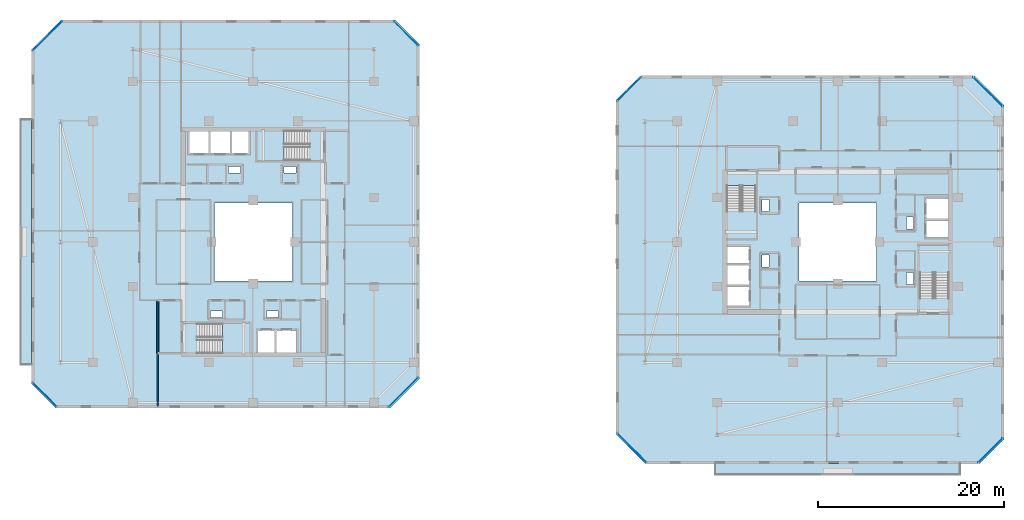
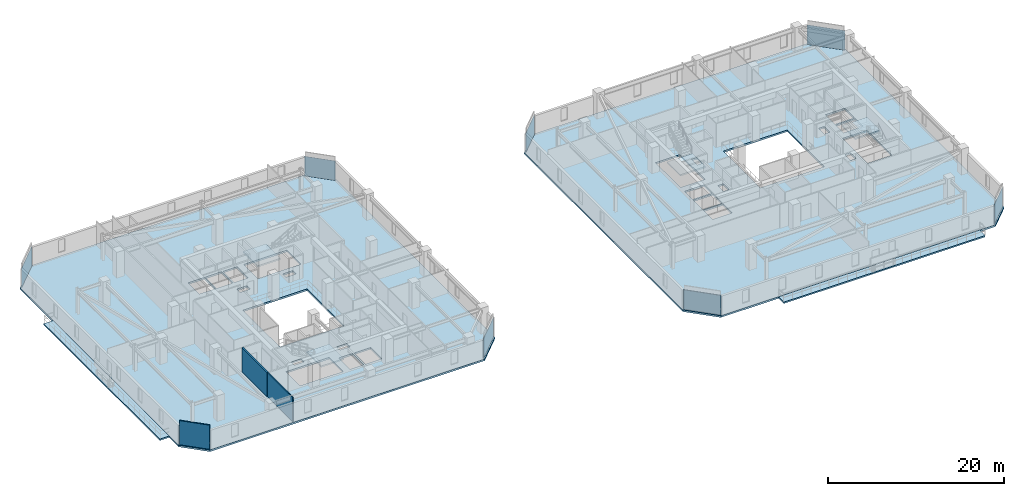
# One storey, part 18 of 33: 8 plates, 8 slabs, 3 walls, 12 elements without a shape of their own.
"""IFC4 building model written with IfcOpenShell, lengths in metres."""

from ifc_helpers import new_model, si_unit, direction, frame, frame_2d, origin, origin_2d, place, context, subcontext, project, spatial, polyline, rectangle, outline, extrude, material, layer, layer_set, type_object, element, aggregate, save


model = new_model("IFC4")

# Units and contexts
model_context = context("Model", 3, precision=1e-05, world=origin(), true_north=direction((0.0, 1.0)))
body_context = subcontext(model_context, "Body", "Model", "MODEL_VIEW")
ifc_project = project(units=[si_unit("LENGTHUNIT", "METRE"), si_unit("AREAUNIT", "SQUARE_METRE"), si_unit("VOLUMEUNIT", "CUBIC_METRE"), si_unit("PLANEANGLEUNIT", "RADIAN"), si_unit("MASSUNIT", "GRAM", prefix="KILO")], contexts=[model_context])

# Site, building, storey
site_placement = place(None, origin())
site = spatial("IfcSite", under=ifc_project, at=site_placement, CompositionType="ELEMENT")
building_placement = place(site_placement, origin())
building = spatial("IfcBuilding", under=site, at=building_placement, Name="Thornwick Lancets Civic Towers", CompositionType="ELEMENT")
storey_placement = place(building_placement, frame((0.0, 0.0, 214.5)))
storey = spatial("IfcBuildingStorey", under=building, at=storey_placement, Name="L57", CompositionType="ELEMENT", Elevation=214.5)

# Curtain wall, plate
ifc_material_1 = material(Name="High-zone chamfered-corner unitised glass curtain wall", Category="glass")
curtain_wall_type = type_object("IfcCurtainWallType", Name="CW_SYS_05", PredefinedType="NOTDEFINED", material=ifc_material_1)
curtain_wall_1_placement = place(storey_placement, origin())
curtain_wall_1 = element("IfcCurtainWall", 1, at=curtain_wall_1_placement, inside=storey, type_object=curtain_wall_type, Name="L57 Curtain Wall CW-L57-A-E1", PredefinedType="NOTDEFINED")
ifc_material_2 = material(Name="Low-e double glazing clear glass", Category="glass")
ifc_layer_1 = layer(ifc_material_2, 0.035888671875, Name="Low-e double glazing clear glass")
ifc_layer_set_1 = layer_set([ifc_layer_1], Name="Low-e double glazing clear glass")
plate_type = type_object("IfcPlateType", Name="CW_PNL_GLASS", PredefinedType="CURTAIN_PANEL", material=ifc_layer_set_1)
plate_1_placement = place(storey_placement, frame((41.6962890625, 10.803955078125, 0.0), z_axis=(0.0, 0.0, 1.0), x_axis=(0.707106781187, 0.707106781187, 0.0)))
plate_1 = element("IfcPlate", 2, at=plate_1_placement, type_object=plate_type, Name="CW-L57-A-E1 Panel 0", PredefinedType="CURTAIN_PANEL", context=body_context, shape_type="SweptSolid", body=[
    extrude(rectangle(XDim=4.42724609375, YDim=0.035888671875, at=origin_2d()), origin(), (0.0, 0.0, 1.0), 2.699951171875),
])
aggregate(curtain_wall_1, [plate_1])

curtain_wall_2_placement = place(storey_placement, origin())
curtain_wall_2 = element("IfcCurtainWall", 3, at=curtain_wall_2_placement, inside=storey, type_object=curtain_wall_type, Name="L57 Curtain Wall CW-L57-A-E3", PredefinedType="NOTDEFINED")
plate_2_placement = place(storey_placement, frame((41.972900390625, 49.472900390625, 0.0), z_axis=(0.0, 0.0, 1.0), x_axis=(-0.707106781187, 0.707106781187, 0.0)))
plate_2 = element("IfcPlate", 4, at=plate_2_placement, type_object=plate_type, Name="CW-L57-A-E3 Panel 0", PredefinedType="CURTAIN_PANEL", context=body_context, shape_type="SweptSolid", body=[
    extrude(rectangle(XDim=3.649169921875, YDim=0.035888671875, at=origin_2d()), origin(), (0.0, 0.0, 1.0), 2.699951171875),
])
aggregate(curtain_wall_2, [plate_2])

curtain_wall_3_placement = place(storey_placement, origin())
curtain_wall_3 = element("IfcCurtainWall", 5, at=curtain_wall_3_placement, inside=storey, type_object=curtain_wall_type, Name="L57 Curtain Wall CW-L57-A-E5", PredefinedType="NOTDEFINED")
plate_3_placement = place(storey_placement, frame((3.3037109375, 49.1962890625, 0.0), z_axis=(0.0, 0.0, 1.0), x_axis=(-0.707106781187, -0.707106781187, 0.0)))
plate_3 = element("IfcPlate", 6, at=plate_3_placement, type_object=plate_type, Name="CW-L57-A-E5 Panel 0", PredefinedType="CURTAIN_PANEL", context=body_context, shape_type="SweptSolid", body=[
    extrude(rectangle(XDim=4.42724609375, YDim=0.035888671875, at=origin_2d()), origin(), (0.0, 0.0, 1.0), 2.699951171875),
])
aggregate(curtain_wall_3, [plate_3])

curtain_wall_4_placement = place(storey_placement, origin())
curtain_wall_4 = element("IfcCurtainWall", 7, at=curtain_wall_4_placement, inside=storey, type_object=curtain_wall_type, Name="L57 Curtain Wall CW-L57-A-E7", PredefinedType="NOTDEFINED")
plate_4_placement = place(storey_placement, frame((3.027099609375, 10.527099609375, 0.0), z_axis=(0.0, 0.0, 1.0), x_axis=(0.707106781187, -0.707106781187, 0.0)))
plate_4 = element("IfcPlate", 8, at=plate_4_placement, type_object=plate_type, Name="CW-L57-A-E7 Panel 0", PredefinedType="CURTAIN_PANEL", context=body_context, shape_type="SweptSolid", body=[
    extrude(rectangle(XDim=3.649169921875, YDim=0.035888671875, at=origin_2d()), origin(), (0.0, 0.0, 1.0), 2.699951171875),
])
aggregate(curtain_wall_4, [plate_4])

curtain_wall_5_placement = place(storey_placement, origin())
curtain_wall_5 = element("IfcCurtainWall", 9, at=curtain_wall_5_placement, inside=storey, type_object=curtain_wall_type, Name="L57 Curtain Wall CW-L57-B-E1", PredefinedType="NOTDEFINED")
plate_5_placement = place(storey_placement, frame((104.972900390625, 4.527099609375, 0.0), z_axis=(0.0, 0.0, 1.0), x_axis=(0.707106781187, 0.707106781187, 0.0)))
plate_5 = element("IfcPlate", 10, at=plate_5_placement, type_object=plate_type, Name="CW-L57-B-E1 Panel 0", PredefinedType="CURTAIN_PANEL", context=body_context, shape_type="SweptSolid", body=[
    extrude(rectangle(XDim=3.649169921875, YDim=0.035888671875, at=origin_2d()), origin(), (0.0, 0.0, 1.0), 2.699951171875),
])
aggregate(curtain_wall_5, [plate_5])

curtain_wall_6_placement = place(storey_placement, origin())
curtain_wall_6 = element("IfcCurtainWall", 11, at=curtain_wall_6_placement, inside=storey, type_object=curtain_wall_type, Name="L57 Curtain Wall CW-L57-B-E3", PredefinedType="NOTDEFINED")
plate_6_placement = place(storey_placement, frame((104.696044921875, 43.1962890625, 0.0), z_axis=(0.0, 0.0, 1.0), x_axis=(-0.707106781187, 0.707106781187, 0.0)))
plate_6 = element("IfcPlate", 12, at=plate_6_placement, type_object=plate_type, Name="CW-L57-B-E3 Panel 0", PredefinedType="CURTAIN_PANEL", context=body_context, shape_type="SweptSolid", body=[
    extrude(rectangle(XDim=4.42724609375, YDim=0.035888671875, at=origin_2d()), origin(), (0.0, 0.0, 1.0), 2.699951171875),
])
aggregate(curtain_wall_6, [plate_6])

curtain_wall_7_placement = place(storey_placement, origin())
curtain_wall_7 = element("IfcCurtainWall", 13, at=curtain_wall_7_placement, inside=storey, type_object=curtain_wall_type, Name="L57 Curtain Wall CW-L57-B-E5", PredefinedType="NOTDEFINED")
plate_7_placement = place(storey_placement, frame((66.027099609375, 43.472900390625, 0.0), z_axis=(0.0, 0.0, 1.0), x_axis=(-0.707106781187, -0.707106781187, 0.0)))
plate_7 = element("IfcPlate", 14, at=plate_7_placement, type_object=plate_type, Name="CW-L57-B-E5 Panel 0", PredefinedType="CURTAIN_PANEL", context=body_context, shape_type="SweptSolid", body=[
    extrude(rectangle(XDim=3.649169921875, YDim=0.035888671875, at=origin_2d()), origin(), (0.0, 0.0, 1.0), 2.699951171875),
])
aggregate(curtain_wall_7, [plate_7])

curtain_wall_8_placement = place(storey_placement, origin())
curtain_wall_8 = element("IfcCurtainWall", 15, at=curtain_wall_8_placement, inside=storey, type_object=curtain_wall_type, Name="L57 Curtain Wall CW-L57-B-E7", PredefinedType="NOTDEFINED")
plate_8_placement = place(storey_placement, frame((66.303955078125, 4.8037109375, 0.0), z_axis=(0.0, 0.0, 1.0), x_axis=(0.707106781187, -0.707106781187, 0.0)))
plate_8 = element("IfcPlate", 16, at=plate_8_placement, type_object=plate_type, Name="CW-L57-B-E7 Panel 0", PredefinedType="CURTAIN_PANEL", context=body_context, shape_type="SweptSolid", body=[
    extrude(rectangle(XDim=4.42724609375, YDim=0.035888671875, at=origin_2d()), origin(), (0.0, 0.0, 1.0), 2.699951171875),
])
aggregate(curtain_wall_8, [plate_8])

# Slabs
ifc_material_3 = material(Name="Post-tensioned concrete C40/50", Category="concrete")
ifc_layer_2 = layer(ifc_material_3, 0.199951171875, Name="Post-tensioned concrete C40/50")
ifc_layer_set_2 = layer_set([ifc_layer_2], Name="Post-tensioned concrete C40/50")
slab_type_1 = type_object("IfcSlabType", Name="SLAB_BALCONY_200", PredefinedType="FLOOR", material=ifc_layer_set_2)
slab_1_placement = place(storey_placement, frame((0.0, 0.0, -0.199951171875)))
element("IfcSlab", 17, at=slab_1_placement, inside=storey, type_object=slab_type_1, Name="L57 Tower A Planted Balcony Slab W", PredefinedType="FLOOR", context=body_context, shape_type="SweptSolid", body=[
    extrude(outline(polyline([(0.35009765625, 13.800048828125), (1.60009765625, 13.800048828125), (1.60009765625, 40.199951171875), (0.35009765625, 40.199951171875), (0.35009765625, 13.800048828125)])), origin(), (0.0, 0.0, 1.0), 0.199951171875),
])
slab_2_placement = place(storey_placement, frame((0.0, 0.0, -0.199951171875)))
element("IfcSlab", 18, at=slab_2_placement, inside=storey, type_object=slab_type_1, Name="L57 Tower B Planted Balcony Slab S", PredefinedType="FLOOR", context=body_context, shape_type="SweptSolid", body=[
    extrude(outline(polyline([(75.300048828125, 1.85009765625), (101.699951171875, 1.85009765625), (101.699951171875, 3.10009765625), (75.300048828125, 3.10009765625), (75.300048828125, 1.85009765625)])), origin(), (0.0, 0.0, 1.0), 0.199951171875),
])

# Stair, slab
ifc_material_4 = material(Name="Concrete C40/50", Category="concrete")
stair_type = type_object("IfcStairType", Name="STAIR_DL_3600", PredefinedType="HALF_TURN_STAIR", material=ifc_material_4)
stair_1_placement = place(storey_placement, origin())
stair_1 = element("IfcStair", 19, at=stair_1_placement, inside=storey, type_object=stair_type, Name="L57 Tower A South Exit Stair ST-A1", PredefinedType="HALF_TURN_STAIR")
ifc_layer_3 = layer(ifc_material_4, 0.25, Name="Concrete C40/50")
ifc_layer_set_3 = layer_set([ifc_layer_3], Name="Concrete C40/50")
slab_type_2 = type_object("IfcSlabType", Name="SLAB_LANDING_200", PredefinedType="LANDING", material=ifc_layer_set_3)
slab_3_placement = place(storey_placement, frame((0.0, 0.0, 1.60302734375)))
slab_3 = element("IfcSlab", 20, at=slab_3_placement, type_object=slab_type_2, Name="ST-A1 landing 1", PredefinedType="LANDING", context=body_context, shape_type="SweptSolid", body=[
    extrude(outline(polyline([(22.169921875, 14.93994140625), (25.14990234375, 14.93994140625), (25.14990234375, 18.260009765625), (22.169921875, 18.260009765625), (22.169921875, 14.93994140625)])), origin(), (0.0, 0.0, 1.0), 0.199951171875),
])
aggregate(stair_1, [slab_3])

stair_2_placement = place(storey_placement, origin())
stair_2 = element("IfcStair", 21, at=stair_2_placement, inside=storey, type_object=stair_type, Name="L57 Tower A North Exit Stair ST-A2", PredefinedType="HALF_TURN_STAIR")
slab_4_placement = place(storey_placement, frame((0.0, 0.0, 1.60302734375)))
slab_4 = element("IfcSlab", 22, at=slab_4_placement, type_object=slab_type_2, Name="ST-A2 landing 1", PredefinedType="LANDING", context=body_context, shape_type="SweptSolid", body=[
    extrude(outline(polyline([(28.830078125, 39.06005859375), (25.85009765625, 39.06005859375), (25.85009765625, 35.739990234375), (28.830078125, 35.739990234375), (28.830078125, 39.06005859375)])), origin(), (0.0, 0.0, 1.0), 0.199951171875),
])
aggregate(stair_2, [slab_4])

stair_3_placement = place(storey_placement, origin())
stair_3 = element("IfcStair", 23, at=stair_3_placement, inside=storey, type_object=stair_type, Name="L57 Tower B East Exit Stair ST-B1", PredefinedType="HALF_TURN_STAIR")
slab_5_placement = place(storey_placement, frame((0.0, 0.0, 1.60302734375)))
slab_5 = element("IfcSlab", 24, at=slab_5_placement, type_object=slab_type_2, Name="ST-B1 landing 1", PredefinedType="LANDING", context=body_context, shape_type="SweptSolid", body=[
    extrude(outline(polyline([(100.56005859375, 23.669921875), (100.56005859375, 26.64990234375), (97.239990234375, 26.64990234375), (97.239990234375, 23.669921875), (100.56005859375, 23.669921875)])), origin(), (0.0, 0.0, 1.0), 0.199951171875),
])
aggregate(stair_3, [slab_5])

stair_4_placement = place(storey_placement, origin())
stair_4 = element("IfcStair", 25, at=stair_4_placement, inside=storey, type_object=stair_type, Name="L57 Tower B West Exit Stair ST-B2", PredefinedType="HALF_TURN_STAIR")
slab_6_placement = place(storey_placement, frame((0.0, 0.0, 1.60302734375)))
slab_6 = element("IfcSlab", 26, at=slab_6_placement, type_object=slab_type_2, Name="ST-B2 landing 1", PredefinedType="LANDING", context=body_context, shape_type="SweptSolid", body=[
    extrude(outline(polyline([(76.43994140625, 30.330078125), (76.43994140625, 27.35009765625), (79.760009765625, 27.35009765625), (79.760009765625, 30.330078125), (76.43994140625, 30.330078125)])), origin(), (0.0, 0.0, 1.0), 0.199951171875),
])
aggregate(stair_4, [slab_6])

# Slabs
ifc_layer_4 = layer(ifc_material_3, 0.239990234375, Name="Post-tensioned concrete C40/50")
ifc_layer_set_4 = layer_set([ifc_layer_4], Name="Post-tensioned concrete C40/50")
slab_type_3 = type_object("IfcSlabType", Name="SLAB_PT_240", PredefinedType="FLOOR", material=ifc_layer_set_4)
slab_7_placement = place(storey_placement, frame((0.0, 0.0, -0.239990234375)))
element("IfcSlab", 27, at=slab_7_placement, inside=storey, type_object=slab_type_3, Name="L57 Tower A Floor Slab", PredefinedType="FLOOR", context=body_context, shape_type="SweptSolid", body=[
    extrude(outline(polyline([(4.199951171875, 9.10009765625), (40.24609375, 9.10009765625), (43.39990234375, 12.25390625), (43.39990234375, 48.300048828125), (40.800048828125, 50.89990234375), (4.75390625, 50.89990234375), (1.60009765625, 47.74609375), (1.60009765625, 11.699951171875), (4.199951171875, 9.10009765625)]), holes=[polyline([(21.300048828125, 22.800048828125), (29.699951171875, 22.800048828125), (29.699951171875, 31.199951171875), (21.300048828125, 31.199951171875), (21.300048828125, 22.800048828125)]), polyline([(19.429931640625, 15.0), (25.10009765625, 15.0), (25.10009765625, 18.199951171875), (19.429931640625, 18.199951171875), (19.429931640625, 15.0)]), polyline([(31.570068359375, 39.0), (25.89990234375, 39.0), (25.89990234375, 35.800048828125), (31.570068359375, 35.800048828125), (31.570068359375, 39.0)]), polyline([(26.0, 15.0), (27.800048828125, 15.0), (27.800048828125, 17.550048828125), (26.0, 17.550048828125), (26.0, 15.0)]), polyline([(28.0, 15.0), (30.14990234375, 15.0), (30.14990234375, 17.550048828125), (28.0, 17.550048828125), (28.0, 15.0)]), polyline([(23.199951171875, 36.449951171875), (25.0, 36.449951171875), (25.0, 39.0), (23.199951171875, 39.0), (23.199951171875, 36.449951171875)]), polyline([(20.85009765625, 36.449951171875), (23.0, 36.449951171875), (23.0, 39.0), (20.85009765625, 39.0), (20.85009765625, 36.449951171875)]), polyline([(18.60009765625, 36.449951171875), (20.699951171875, 36.449951171875), (20.699951171875, 39.0), (18.60009765625, 39.0), (18.60009765625, 36.449951171875)]), polyline([(26.89990234375, 18.85009765625), (28.199951171875, 18.85009765625), (28.199951171875, 19.580078125), (26.89990234375, 19.580078125), (26.89990234375, 18.85009765625)]), polyline([(20.89990234375, 18.85009765625), (22.199951171875, 18.85009765625), (22.199951171875, 19.580078125), (20.89990234375, 19.580078125), (20.89990234375, 18.85009765625)]), polyline([(22.800048828125, 34.419921875), (24.10009765625, 34.419921875), (24.10009765625, 35.14990234375), (22.800048828125, 35.14990234375), (22.800048828125, 34.419921875)]), polyline([(28.800048828125, 34.419921875), (30.10009765625, 34.419921875), (30.10009765625, 35.14990234375), (28.800048828125, 35.14990234375), (28.800048828125, 34.419921875)])]), origin(), (0.0, 0.0, 1.0), 0.239990234375),
])
slab_8_placement = place(storey_placement, frame((0.0, 0.0, -0.239990234375)))
element("IfcSlab", 28, at=slab_8_placement, inside=storey, type_object=slab_type_3, Name="L57 Tower B Floor Slab", PredefinedType="FLOOR", context=body_context, shape_type="SweptSolid", body=[
    extrude(outline(polyline([(67.75390625, 3.10009765625), (103.800048828125, 3.10009765625), (106.39990234375, 5.699951171875), (106.39990234375, 41.74609375), (103.24609375, 44.89990234375), (67.199951171875, 44.89990234375), (64.60009765625, 42.300048828125), (64.60009765625, 6.25390625), (67.75390625, 3.10009765625)]), holes=[polyline([(84.300048828125, 22.800048828125), (92.699951171875, 22.800048828125), (92.699951171875, 31.199951171875), (84.300048828125, 31.199951171875), (84.300048828125, 22.800048828125)]), polyline([(100.5, 20.929931640625), (100.5, 26.60009765625), (97.300048828125, 26.60009765625), (97.300048828125, 20.929931640625), (100.5, 20.929931640625)]), polyline([(76.5, 33.070068359375), (76.5, 27.39990234375), (79.699951171875, 27.39990234375), (79.699951171875, 33.070068359375), (76.5, 33.070068359375)]), polyline([(97.949951171875, 27.5), (100.5, 27.5), (100.5, 29.300048828125), (97.949951171875, 29.300048828125), (97.949951171875, 27.5)]), polyline([(97.949951171875, 29.5), (100.5, 29.5), (100.5, 31.64990234375), (97.949951171875, 31.64990234375), (97.949951171875, 29.5)]), polyline([(76.5, 24.699951171875), (79.050048828125, 24.699951171875), (79.050048828125, 26.5), (76.5, 26.5), (76.5, 24.699951171875)]), polyline([(76.5, 22.35009765625), (79.050048828125, 22.35009765625), (79.050048828125, 24.5), (76.5, 24.5), (76.5, 22.35009765625)]), polyline([(76.5, 20.10009765625), (79.050048828125, 20.10009765625), (79.050048828125, 22.199951171875), (76.5, 22.199951171875), (76.5, 20.10009765625)]), polyline([(95.919921875, 28.39990234375), (96.64990234375, 28.39990234375), (96.64990234375, 29.699951171875), (95.919921875, 29.699951171875), (95.919921875, 28.39990234375)]), polyline([(95.919921875, 22.39990234375), (96.64990234375, 22.39990234375), (96.64990234375, 23.699951171875), (95.919921875, 23.699951171875), (95.919921875, 22.39990234375)]), polyline([(80.35009765625, 24.300048828125), (81.080078125, 24.300048828125), (81.080078125, 25.60009765625), (80.35009765625, 25.60009765625), (80.35009765625, 24.300048828125)]), polyline([(80.35009765625, 30.300048828125), (81.080078125, 30.300048828125), (81.080078125, 31.60009765625), (80.35009765625, 31.60009765625), (80.35009765625, 30.300048828125)])]), origin(), (0.0, 0.0, 1.0), 0.239990234375),
])

# Walls
ifc_material_5 = material(Name="Concrete blockwork C40/50", Category="masonry")
ifc_layer_5 = layer(ifc_material_5, 0.199951171875, Name="Concrete blockwork C40/50")
ifc_layer_set_5 = layer_set([ifc_layer_5], Name="Concrete blockwork C40/50")
wall_type_1 = type_object("IfcWallType", Name="WALL_COMP_200", PredefinedType="STANDARD", material=ifc_layer_set_5)
wall_1_placement = place(storey_placement, frame((15.199951171875, 20.699951171875, 0.0), z_axis=(0.0, 0.0, 1.0), x_axis=(0.0, -1.0, 0.0)))
element("IfcWall", 29, at=wall_1_placement, inside=storey, type_object=wall_type_1, Name="L57 Partition L57-A-FFLOB1 E4", PredefinedType="STANDARD", context=body_context, shape_type="SweptSolid", body=[
    extrude(rectangle(XDim=5.699951171875, YDim=0.199951171875, at=frame_2d((2.85009765625, 0.0))), origin(), (0.0, 0.0, 1.0), 3.340087890625),
])
ifc_material_6 = material(Name="Acoustic gypsum board partition")
ifc_layer_6 = layer(ifc_material_6, 0.1201171875, Name="Acoustic gypsum board partition")
ifc_layer_set_6 = layer_set([ifc_layer_6], Name="Acoustic gypsum board partition")
wall_type_2 = type_object("IfcWallType", Name="WALL_PART_120", PredefinedType="PARTITIONING", material=ifc_layer_set_6)
wall_2_placement = place(storey_placement, frame((15.199951171875, 15.0, 0.0), z_axis=(0.0, 0.0, 1.0), x_axis=(0.0, -1.0, 0.0)))
element("IfcWall", 30, at=wall_2_placement, inside=storey, type_object=wall_type_2, Name="L57 Partition L57-A-W1 E7", PredefinedType="PARTITIONING", context=body_context, shape_type="SweptSolid", body=[
    extrude(rectangle(XDim=5.719970703125, YDim=0.1201171875, at=frame_2d((2.85986328125, 0.0))), origin(), (0.0, 0.0, 1.0), 3.340087890625),
])
wall_3_placement = place(storey_placement, frame((4.274658203125, 9.280029296875, 0.0), z_axis=(0.0, 0.0, 1.0), x_axis=(-0.707106781187, 0.707106781187, 0.0)))
element("IfcWall", 31, at=wall_3_placement, inside=storey, type_object=wall_type_2, Name="L57 Partition L57-A-W1 E9", PredefinedType="PARTITIONING", context=body_context, shape_type="SweptSolid", body=[
    extrude(rectangle(XDim=3.52783203125, YDim=0.1201171875, at=frame_2d((1.763916015625, 0.0))), origin(), (0.0, 0.0, 1.0), 3.340087890625),
])

save(model, "model.ifc")
